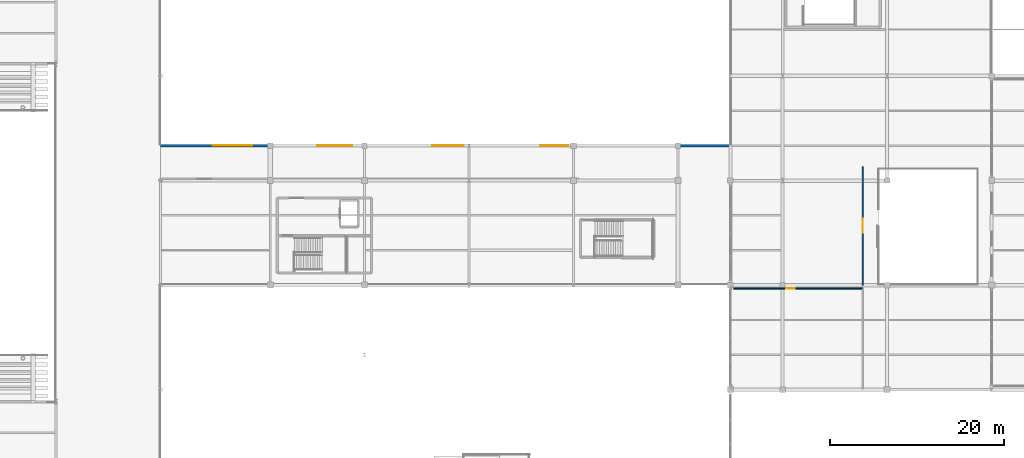
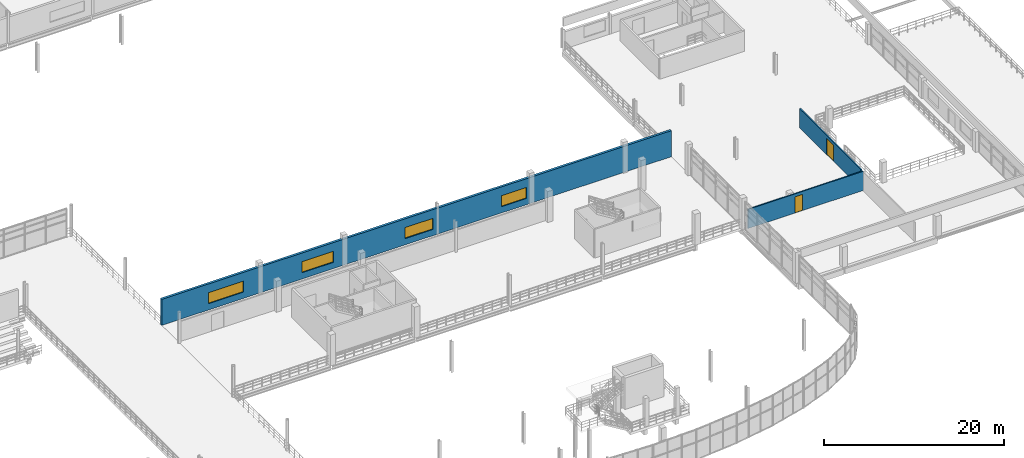
# One storey, part 71 of 89: 4 windows, 3 walls, 2 doors, 6 openings.
"""IFC4 building model written with IfcOpenShell, lengths in metres."""

from ifc_helpers import new_model, si_unit, direction, frame, frame_2d, origin, place, context, subcontext, project, spatial, rectangle, extrude, material, layer, layer_set, type_object, element, fill, save


model = new_model("IFC4")

# Units and contexts
model_context = context("Model", 3, precision=1e-05, world=origin(), true_north=direction((0.0, 1.0)))
body_context = subcontext(model_context, "Body", "Model", "MODEL_VIEW")
ifc_project = project(units=[si_unit("LENGTHUNIT", "METRE"), si_unit("AREAUNIT", "SQUARE_METRE"), si_unit("VOLUMEUNIT", "CUBIC_METRE"), si_unit("PLANEANGLEUNIT", "RADIAN"), si_unit("MASSUNIT", "GRAM", prefix="KILO"), si_unit("THERMODYNAMICTEMPERATUREUNIT", "KELVIN"), si_unit("POWERUNIT", "WATT")], contexts=[model_context])

# Site, building, storey
site_placement = place(None, origin())
site = spatial("IfcSite", under=ifc_project, at=site_placement, CompositionType="ELEMENT")
building_placement = place(site_placement, origin())
building = spatial("IfcBuilding", under=site, at=building_placement, Name="Solmara Park Aquatics Centre", CompositionType="ELEMENT")
storey_placement = place(building_placement, frame((0.0, 0.0, 5.39990234375)))
storey = spatial("IfcBuildingStorey", under=building, at=storey_placement, Name="L01", CompositionType="ELEMENT", Elevation=5.39990234375)

# Wall, openings, windows
ifc_material_1 = material(Name="Insulated Limestone Render Wall", Category="masonry")
ifc_layer_1 = layer(ifc_material_1, 0.300048828125, Name="Insulated Limestone Render Wall")
ifc_layer_set_1 = layer_set([ifc_layer_1], Name="Insulated Limestone Render Wall")
wall_type_1 = type_object("IfcWallType", Name="ARC-WL-EXT300", PredefinedType="SOLIDWALL", material=ifc_layer_set_1)
wall_1_placement = place(storey_placement, frame((96.60009765625, 52.60009765625, 0.0), z_axis=(0.0, 0.0, 1.0), x_axis=(1.0, 0.0, 0.0)))
wall_1 = element("IfcWall", 1, at=wall_1_placement, inside=storey, type_object=wall_type_1, Name="Exterior Facade Wall EW-L01-004", PredefinedType="SOLIDWALL", context=body_context, shape_type="SweptSolid", body=[
    extrude(rectangle(XDim=65.39990234375, YDim=0.300048828125, at=frame_2d((32.699951171875, 0.0))), origin(), (0.0, 0.0, 1.0), 3.530029296875),
])
opening_1_placement = place(wall_1_placement, frame((6.0, 0.0, 0.85009765625)))
opening_1 = element("IfcOpeningElement", 2, at=opening_1_placement, cuts=wall_1, Name="Opening W-11", PredefinedType="OPENING", context=body_context, shape_type="SweptSolid", body=[
    extrude(rectangle(XDim=4.5, YDim=1.5, at=frame_2d((2.25, 0.75))), frame((0.0, 0.159912109375, 0.0), z_axis=(0.0, -1.0, 0.0), x_axis=(1.0, 0.0, 0.0)), (0.0, 0.0, 1.0), 0.320068359375),
])
opening_2_placement = place(wall_1_placement, frame((18.0, 0.0, 0.85009765625)))
opening_2 = element("IfcOpeningElement", 3, at=opening_2_placement, cuts=wall_1, Name="Opening W-12", PredefinedType="OPENING", context=body_context, shape_type="SweptSolid", body=[
    extrude(rectangle(XDim=4.0, YDim=1.5, at=frame_2d((2.0, 0.75))), frame((0.0, 0.159912109375, 0.0), z_axis=(0.0, -1.0, 0.0), x_axis=(1.0, 0.0, 0.0)), (0.0, 0.0, 1.0), 0.320068359375),
])
opening_3_placement = place(wall_1_placement, frame((31.199951171875, 0.0, 0.85009765625)))
opening_3 = element("IfcOpeningElement", 4, at=opening_3_placement, cuts=wall_1, Name="Opening W-13", PredefinedType="OPENING", context=body_context, shape_type="SweptSolid", body=[
    extrude(rectangle(XDim=3.60009765625, YDim=1.5, at=frame_2d((1.800048828125, 0.75))), frame((0.0, 0.159912109375, 0.0), z_axis=(0.0, -1.0, 0.0), x_axis=(1.0, 0.0, 0.0)), (0.0, 0.0, 1.0), 0.320068359375),
])
opening_4_placement = place(wall_1_placement, frame((43.60009765625, 0.0, 0.85009765625)))
opening_4 = element("IfcOpeningElement", 5, at=opening_4_placement, cuts=wall_1, Name="Opening W-14", PredefinedType="OPENING", context=body_context, shape_type="SweptSolid", body=[
    extrude(rectangle(XDim=3.199951171875, YDim=1.5, at=frame_2d((1.60009765625, 0.75))), frame((0.0, 0.159912109375, 0.0), z_axis=(0.0, -1.0, 0.0), x_axis=(1.0, 0.0, 0.0)), (0.0, 0.0, 1.0), 0.320068359375),
])
ifc_material_2 = material(Name="Thermally Broken Aluminium and Low-E Double Glazing", Category="aluminium")
window_type_1 = type_object("IfcWindowType", Name="ARC-WN-320x150", PartitioningType="DOUBLE_PANEL_HORIZONTAL", PredefinedType="WINDOW", material=ifc_material_2)
window_1_placement = place(opening_4_placement, origin())
window_1 = element("IfcWindow", 6, at=window_1_placement, inside=storey, type_object=window_type_1, Name="Ribbon Window WN-010", OverallHeight=1.5, OverallWidth=3.199951171875, PartitioningType="DOUBLE_PANEL_HORIZONTAL", PredefinedType="WINDOW", context=body_context, shape_type="SweptSolid", body=[
    extrude(rectangle(XDim=3.199951171875, YDim=1.5, at=frame_2d((1.60009765625, 0.75))), frame((0.0, 0.030029296875, 0.0), z_axis=(0.0, -1.0, 0.0), x_axis=(1.0, 0.0, 0.0)), (0.0, 0.0, 1.0), 0.06005859375),
])
fill(opening_4, window_1)
window_type_2 = type_object("IfcWindowType", Name="ARC-WN-360x150", PartitioningType="TRIPLE_PANEL_HORIZONTAL", PredefinedType="WINDOW", material=ifc_material_2)
window_2_placement = place(opening_3_placement, origin())
window_2 = element("IfcWindow", 7, at=window_2_placement, inside=storey, type_object=window_type_2, Name="Ribbon Window WN-009", OverallHeight=1.5, OverallWidth=3.60009765625, PartitioningType="TRIPLE_PANEL_HORIZONTAL", PredefinedType="WINDOW", context=body_context, shape_type="SweptSolid", body=[
    extrude(rectangle(XDim=3.60009765625, YDim=1.5, at=frame_2d((1.800048828125, 0.75))), frame((0.0, 0.030029296875, 0.0), z_axis=(0.0, -1.0, 0.0), x_axis=(1.0, 0.0, 0.0)), (0.0, 0.0, 1.0), 0.06005859375),
])
fill(opening_3, window_2)
window_type_3 = type_object("IfcWindowType", Name="ARC-WN-400x150", PartitioningType="TRIPLE_PANEL_HORIZONTAL", PredefinedType="WINDOW", material=ifc_material_2)
window_3_placement = place(opening_2_placement, origin())
window_3 = element("IfcWindow", 8, at=window_3_placement, inside=storey, type_object=window_type_3, Name="Ribbon Window WN-008", OverallHeight=1.5, OverallWidth=4.0, PartitioningType="TRIPLE_PANEL_HORIZONTAL", PredefinedType="WINDOW", context=body_context, shape_type="SweptSolid", body=[
    extrude(rectangle(XDim=4.0, YDim=1.5, at=frame_2d((2.0, 0.75))), frame((0.0, 0.030029296875, 0.0), z_axis=(0.0, -1.0, 0.0), x_axis=(1.0, 0.0, 0.0)), (0.0, 0.0, 1.0), 0.06005859375),
])
fill(opening_2, window_3)
window_type_4 = type_object("IfcWindowType", Name="ARC-WN-450x150", PartitioningType="TRIPLE_PANEL_HORIZONTAL", PredefinedType="WINDOW", material=ifc_material_2)
window_4_placement = place(opening_1_placement, origin())
window_4 = element("IfcWindow", 9, at=window_4_placement, inside=storey, type_object=window_type_4, Name="Ribbon Window WN-007", OverallHeight=1.5, OverallWidth=4.5, PartitioningType="TRIPLE_PANEL_HORIZONTAL", PredefinedType="WINDOW", context=body_context, shape_type="SweptSolid", body=[
    extrude(rectangle(XDim=4.5, YDim=1.5, at=frame_2d((2.25, 0.75))), frame((0.0, 0.030029296875, 0.0), z_axis=(0.0, -1.0, 0.0), x_axis=(1.0, 0.0, 0.0)), (0.0, 0.0, 1.0), 0.06005859375),
])
fill(opening_1, window_4)

# Wall, opening, door
ifc_material_3 = material(Name="Cement-Rendered Masonry Partition", Category="masonry")
ifc_layer_2 = layer(ifc_material_3, 0.14990234375, Name="Cement-Rendered Masonry Partition")
ifc_layer_set_2 = layer_set([ifc_layer_2], Name="Cement-Rendered Masonry Partition")
wall_type_2 = type_object("IfcWallType", Name="ARC-WL-MAS150", PredefinedType="PARTITIONING", material=ifc_layer_set_2)
wall_2_placement = place(storey_placement, frame((162.39990234375, 36.199951171875, 0.0), z_axis=(0.0, 0.0, 1.0), x_axis=(1.0, 0.0, 0.0)))
wall_2 = element("IfcWall", 10, at=wall_2_placement, inside=storey, type_object=wall_type_2, Name="Interior Partition IW-L01-0089 (L01-EDU-01)", PredefinedType="PARTITIONING", context=body_context, shape_type="SweptSolid", body=[
    extrude(rectangle(XDim=14.800048828125, YDim=0.14990234375, at=frame_2d((7.39990234375, 0.0))), origin(), (0.0, 0.0, 1.0), 2.60009765625),
])
opening_5_placement = place(wall_2_placement, frame((6.0, 0.0, 0.0)))
opening_5 = element("IfcOpeningElement", 11, at=opening_5_placement, cuts=wall_2, Name="Opening D-16", PredefinedType="OPENING", context=body_context, shape_type="SweptSolid", body=[
    extrude(rectangle(XDim=1.0, YDim=2.199951171875, at=frame_2d((0.5, 1.10009765625))), frame((0.0, 0.0849609375, 0.0), z_axis=(0.0, -1.0, 0.0), x_axis=(1.0, 0.0, 0.0)), (0.0, 0.0, 1.0), 0.169921875),
])
ifc_material_4 = material(Name="Moisture-Resistant HPL & Hardwood", Category="wood")
door_type_1 = type_object("IfcDoorType", Name="ARC-DR-SGL100x220", OperationType="NOTDEFINED", PredefinedType="DOOR", material=ifc_material_4)
door_1_placement = place(opening_5_placement, origin())
door_1 = element("IfcDoor", 12, at=door_1_placement, inside=storey, type_object=door_type_1, Name="Community Aquatics Education Classroom Door", OperationType="SINGLE_SWING_RIGHT", OverallHeight=2.199951171875, OverallWidth=1.0, PredefinedType="DOOR", context=body_context, shape_type="SweptSolid", body=[
    extrude(rectangle(XDim=1.0, YDim=2.199951171875, at=frame_2d((0.5, 1.10009765625))), frame((0.0, 0.02490234375, 0.0), z_axis=(0.0, -1.0, 0.0), x_axis=(1.0, 0.0, 0.0)), (0.0, 0.0, 1.0), 0.050048828125),
])
fill(opening_5, door_1)

wall_3_placement = place(storey_placement, frame((177.199951171875, 36.60009765625, 0.0), z_axis=(0.0, 0.0, 1.0), x_axis=(0.0, 1.0, 0.0)))
wall_3 = element("IfcWall", 13, at=wall_3_placement, inside=storey, type_object=wall_type_2, Name="Interior Partition IW-L01-0090 (L01-TER-LOUNGE)", PredefinedType="PARTITIONING", context=body_context, shape_type="SweptSolid", body=[
    extrude(rectangle(XDim=13.599853515625, YDim=0.14990234375, at=frame_2d((6.7998046875, 0.0))), origin(), (0.0, 0.0, 1.0), 2.60009765625),
])
opening_6_placement = place(wall_3_placement, frame((6.0, 0.0, 0.0)))
opening_6 = element("IfcOpeningElement", 14, at=opening_6_placement, cuts=wall_3, Name="Opening D-22", PredefinedType="OPENING", context=body_context, shape_type="SweptSolid", body=[
    extrude(rectangle(XDim=1.60009765625, YDim=2.199951171875, at=frame_2d((0.800048828125, 1.10009765625))), frame((0.0, 0.0849609375, 0.0), z_axis=(0.0, -1.0, 0.0), x_axis=(1.0, 0.0, 0.0)), (0.0, 0.0, 1.0), 0.169921875),
])
door_type_2 = type_object("IfcDoorType", Name="ARC-DR-GLZ160x220", OperationType="DOUBLE_DOOR_SINGLE_SWING", PredefinedType="DOOR", material=ifc_material_4)
door_2_placement = place(opening_6_placement, origin())
door_2 = element("IfcDoor", 15, at=door_2_placement, inside=storey, type_object=door_type_2, Name="Mezzanine Terrace Lounge Door", OperationType="DOUBLE_DOOR_SINGLE_SWING", OverallHeight=2.199951171875, OverallWidth=1.60009765625, PredefinedType="DOOR", context=body_context, shape_type="SweptSolid", body=[
    extrude(rectangle(XDim=1.60009765625, YDim=2.199951171875, at=frame_2d((0.800048828125, 1.10009765625))), frame((0.0, 0.02490234375, 0.0), z_axis=(0.0, -1.0, 0.0), x_axis=(1.0, 0.0, 0.0)), (0.0, 0.0, 1.0), 0.050048828125),
])
fill(opening_6, door_2)

save(model, "model.ifc")
